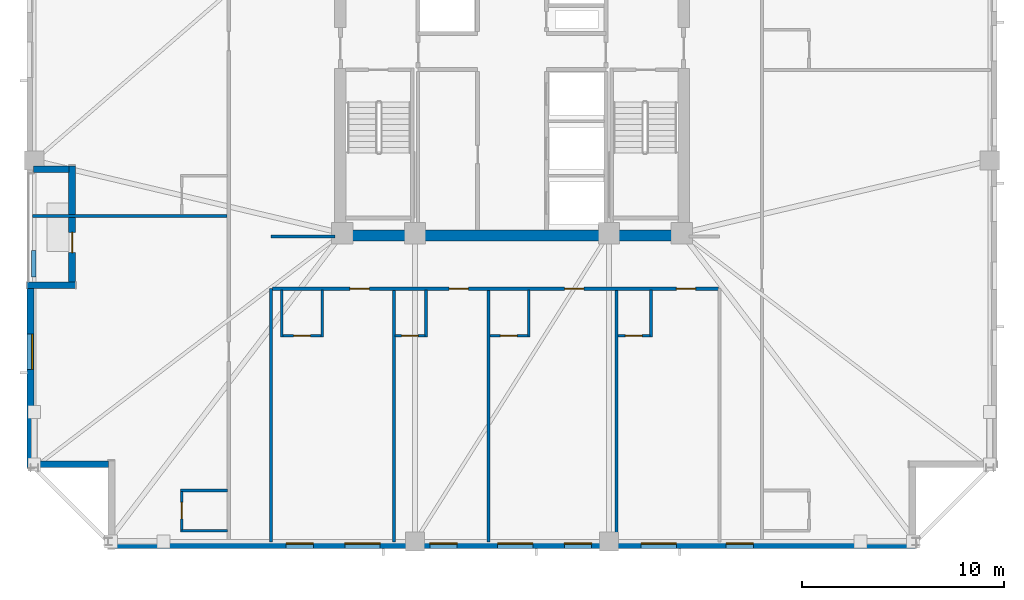
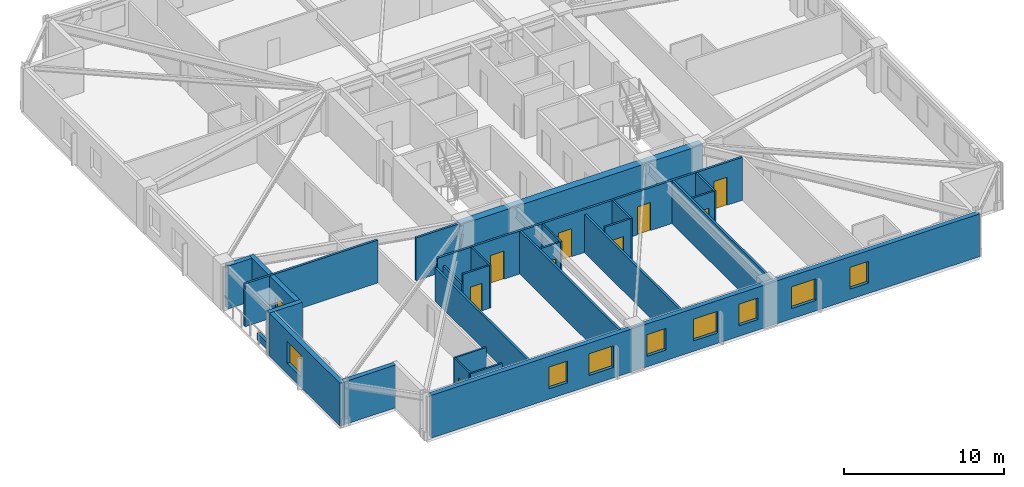
# One storey, part 2 of 10: 27 walls, 10 doors, 8 windows, 18 openings.
"""IFC4 building model written with IfcOpenShell, lengths in metres."""

from ifc_helpers import new_model, si_unit, direction, frame, frame_2d, origin, place, context, subcontext, project, spatial, rectangle, extrude, material, layer, layer_set, type_object, element, fill, save


model = new_model("IFC4")

# Units and contexts
model_context = context("Model", 3, precision=1e-05, world=origin(), true_north=direction((0.0, 1.0)))
body_context = subcontext(model_context, "Body", "Model", "MODEL_VIEW")
ifc_project = project(units=[si_unit("LENGTHUNIT", "METRE"), si_unit("AREAUNIT", "SQUARE_METRE"), si_unit("VOLUMEUNIT", "CUBIC_METRE"), si_unit("PLANEANGLEUNIT", "RADIAN"), si_unit("MASSUNIT", "GRAM", prefix="KILO")], contexts=[model_context])

# Site, building, storey
site_placement = place(None, origin())
site = spatial("IfcSite", under=ifc_project, at=site_placement, CompositionType="ELEMENT")
building_placement = place(site_placement, origin())
building = spatial("IfcBuilding", under=site, at=building_placement, Name="Cairnveth Concourse Tower", CompositionType="ELEMENT")
storey_placement = place(building_placement, frame((0.0, 0.0, 137.5)))
storey = spatial("IfcBuildingStorey", under=building, at=storey_placement, Name="L37", CompositionType="ELEMENT", Elevation=137.5)

# Walls
ifc_material_1 = material(Name="Gypsum Plasterboard Partition", Category="gypsum")
ifc_layer_1 = layer(ifc_material_1, 0.159912109375)
ifc_layer_set_1 = layer_set([ifc_layer_1], Name="Gypsum Plasterboard Partition")
wall_type_1 = type_object("IfcWallType", Name="ACOUSTIC PARTY WALL 180", PredefinedType="PARTITIONING", material=ifc_layer_set_1)
wall_1_placement = place(storey_placement, frame((40.074951171875, 15.324951171875, 0.0), z_axis=(0.0, 0.0, 1.0), x_axis=(0.0, 1.0, 0.0)))
element("IfcWall", 1, at=wall_1_placement, inside=storey, type_object=wall_type_1, Name="Interior Wall IW-L37-037", PredefinedType="PARTITIONING", context=body_context, shape_type="SweptSolid", body=[
    extrude(rectangle(XDim=12.53515625, YDim=0.159912109375, at=frame_2d((6.267578125, 0.0))), origin(), (0.0, 0.0, 1.0), 2.554931640625),
])
wall_2_placement = place(storey_placement, frame((40.074951171875, 30.449951171875, 0.0), z_axis=(0.0, 0.0, 1.0), x_axis=(1.0, 0.0, 0.0)))
element("IfcWall", 2, at=wall_2_placement, inside=storey, type_object=wall_type_1, Name="Interior Wall IW-L37-039", PredefinedType="PARTITIONING", context=body_context, shape_type="SweptSolid", body=[
    extrude(rectangle(XDim=3.16015625, YDim=0.159912109375, at=frame_2d((1.580078125, 0.0))), origin(), (0.0, 0.0, 1.0), 3.280029296875),
])

# Wall, openings, doors
wall_3_placement = place(storey_placement, frame((40.139892578125, 27.860107421875, 0.0), z_axis=(0.0, 0.0, 1.0), x_axis=(1.0, 0.0, 0.0)))
wall_3 = element("IfcWall", 3, at=wall_3_placement, inside=storey, type_object=wall_type_1, Name="Interior Wall IW-L37-046", PredefinedType="PARTITIONING", context=body_context, shape_type="SweptSolid", body=[
    extrude(rectangle(XDim=22.070068359375, YDim=0.159912109375, at=frame_2d((11.03515625, 0.0))), origin(), (0.0, 0.0, 1.0), 3.280029296875),
])
opening_1_placement = place(wall_3_placement, frame((3.833740234375, 0.0, 0.0)))
opening_1 = element("IfcOpeningElement", 4, at=opening_1_placement, cuts=wall_3, Name="Opening ID09", PredefinedType="OPENING", context=body_context, shape_type="SweptSolid", body=[
    extrude(rectangle(XDim=0.9599609375, YDim=2.14990234375, at=frame_2d((0.47998046875, 1.074951171875))), frame((0.0, 0.08984375, 0.0), z_axis=(0.0, -1.0, 0.0), x_axis=(1.0, 0.0, 0.0)), (0.0, 0.0, 1.0), 0.179931640625),
])
opening_2_placement = place(wall_3_placement, frame((8.746337890625, 0.0, 0.0)))
opening_2 = element("IfcOpeningElement", 5, at=opening_2_placement, cuts=wall_3, Name="Opening ID09", PredefinedType="OPENING", context=body_context, shape_type="SweptSolid", body=[
    extrude(rectangle(XDim=0.9599609375, YDim=2.14990234375, at=frame_2d((0.47998046875, 1.074951171875))), frame((0.0, 0.08984375, 0.0), z_axis=(0.0, -1.0, 0.0), x_axis=(1.0, 0.0, 0.0)), (0.0, 0.0, 1.0), 0.179931640625),
])
opening_3_placement = place(wall_3_placement, frame((14.4599609375, 0.0, 0.0)))
opening_3 = element("IfcOpeningElement", 6, at=opening_3_placement, cuts=wall_3, Name="Opening ID09", PredefinedType="OPENING", context=body_context, shape_type="SweptSolid", body=[
    extrude(rectangle(XDim=0.9599609375, YDim=2.14990234375, at=frame_2d((0.47998046875, 1.074951171875))), frame((0.0, 0.08984375, 0.0), z_axis=(0.0, -1.0, 0.0), x_axis=(1.0, 0.0, 0.0)), (0.0, 0.0, 1.0), 0.179931640625),
])
opening_4_placement = place(wall_3_placement, frame((19.99267578125, 0.0, 0.0)))
opening_4 = element("IfcOpeningElement", 7, at=opening_4_placement, cuts=wall_3, Name="Opening ID09", PredefinedType="OPENING", context=body_context, shape_type="SweptSolid", body=[
    extrude(rectangle(XDim=0.9599609375, YDim=2.14990234375, at=frame_2d((0.47998046875, 1.074951171875))), frame((0.0, 0.08984375, 0.0), z_axis=(0.0, -1.0, 0.0), x_axis=(1.0, 0.0, 0.0)), (0.0, 0.0, 1.0), 0.179931640625),
])
ifc_material_2 = material(Name="Solid Core Hardwood Timber Leaf", Category="wood")
door_type_1 = type_object("IfcDoorType", Name="HOTEL ENTRANCE DOOR 960X2150", OperationType="NOTDEFINED", PredefinedType="DOOR", material=ifc_material_2)
door_1_placement = place(opening_1_placement, origin())
door_1 = element("IfcDoor", 8, at=door_1_placement, inside=storey, type_object=door_type_1, Name="Hotel Room Door L37-S1", OperationType="SINGLE_SWING_LEFT", OverallHeight=2.14990234375, OverallWidth=0.9599609375, PredefinedType="DOOR", context=body_context, shape_type="SweptSolid", body=[
    extrude(rectangle(XDim=0.9599609375, YDim=2.14990234375, at=frame_2d((0.47998046875, 1.074951171875))), frame((0.0, 0.02490234375, 0.0), z_axis=(0.0, -1.0, 0.0), x_axis=(1.0, 0.0, 0.0)), (0.0, 0.0, 1.0), 0.050048828125),
])
fill(opening_1, door_1)
door_2_placement = place(opening_2_placement, origin())
door_2 = element("IfcDoor", 9, at=door_2_placement, inside=storey, type_object=door_type_1, Name="Hotel Room Door L37-S2", OperationType="SINGLE_SWING_LEFT", OverallHeight=2.14990234375, OverallWidth=0.9599609375, PredefinedType="DOOR", context=body_context, shape_type="SweptSolid", body=[
    extrude(rectangle(XDim=0.9599609375, YDim=2.14990234375, at=frame_2d((0.47998046875, 1.074951171875))), frame((0.0, 0.02490234375, 0.0), z_axis=(0.0, -1.0, 0.0), x_axis=(1.0, 0.0, 0.0)), (0.0, 0.0, 1.0), 0.050048828125),
])
fill(opening_2, door_2)
door_3_placement = place(opening_3_placement, origin())
door_3 = element("IfcDoor", 10, at=door_3_placement, inside=storey, type_object=door_type_1, Name="Hotel Room Door L37-S3", OperationType="SINGLE_SWING_LEFT", OverallHeight=2.14990234375, OverallWidth=0.9599609375, PredefinedType="DOOR", context=body_context, shape_type="SweptSolid", body=[
    extrude(rectangle(XDim=0.9599609375, YDim=2.14990234375, at=frame_2d((0.47998046875, 1.074951171875))), frame((0.0, 0.02490234375, 0.0), z_axis=(0.0, -1.0, 0.0), x_axis=(1.0, 0.0, 0.0)), (0.0, 0.0, 1.0), 0.050048828125),
])
fill(opening_3, door_3)
door_4_placement = place(opening_4_placement, origin())
door_4 = element("IfcDoor", 11, at=door_4_placement, inside=storey, type_object=door_type_1, Name="Hotel Room Door L37-S4", OperationType="SINGLE_SWING_LEFT", OverallHeight=2.14990234375, OverallWidth=0.9599609375, PredefinedType="DOOR", context=body_context, shape_type="SweptSolid", body=[
    extrude(rectangle(XDim=0.9599609375, YDim=2.14990234375, at=frame_2d((0.47998046875, 1.074951171875))), frame((0.0, 0.02490234375, 0.0), z_axis=(0.0, -1.0, 0.0), x_axis=(1.0, 0.0, 0.0)), (0.0, 0.0, 1.0), 0.050048828125),
])
fill(opening_4, door_4)

# Walls
wall_4_placement = place(storey_placement, frame((46.152587890625, 15.324951171875, 0.0), z_axis=(0.0, 0.0, 1.0), x_axis=(0.0, 1.0, 0.0)))
element("IfcWall", 12, at=wall_4_placement, inside=storey, type_object=wall_type_1, Name="Interior Wall IW-L37-052", PredefinedType="PARTITIONING", context=body_context, shape_type="SweptSolid", body=[
    extrude(rectangle(XDim=12.455078125, YDim=0.159912109375, at=frame_2d((6.2275390625, 0.0))), origin(), (0.0, 0.0, 1.0), 3.280029296875),
])
wall_5_placement = place(storey_placement, frame((50.83740234375, 15.324951171875, 0.0), z_axis=(0.0, 0.0, 1.0), x_axis=(0.0, 1.0, 0.0)))
element("IfcWall", 13, at=wall_5_placement, inside=storey, type_object=wall_type_1, Name="Interior Wall IW-L37-055", PredefinedType="PARTITIONING", context=body_context, shape_type="SweptSolid", body=[
    extrude(rectangle(XDim=12.455078125, YDim=0.159912109375, at=frame_2d((6.2275390625, 0.0))), origin(), (0.0, 0.0, 1.0), 2.89599609375),
])
wall_6_placement = place(storey_placement, frame((57.172607421875, 15.324951171875, 0.0), z_axis=(0.0, 0.0, 1.0), x_axis=(0.0, 1.0, 0.0)))
element("IfcWall", 14, at=wall_6_placement, inside=storey, type_object=wall_type_1, Name="Interior Wall IW-L37-058", PredefinedType="PARTITIONING", context=body_context, shape_type="SweptSolid", body=[
    extrude(rectangle(XDim=12.455078125, YDim=0.159912109375, at=frame_2d((6.2275390625, 0.0))), origin(), (0.0, 0.0, 1.0), 3.280029296875),
])
wall_7_placement = place(storey_placement, frame((28.27001953125, 31.456787109375, 0.0), z_axis=(0.0, 0.0, 1.0), x_axis=(1.0, 0.0, 0.0)))
element("IfcWall", 15, at=wall_7_placement, inside=storey, type_object=wall_type_1, Name="Interior Wall IW-L37-064", PredefinedType="PARTITIONING", context=body_context, shape_type="SweptSolid", body=[
    extrude(rectangle(XDim=9.625, YDim=0.159912109375, at=frame_2d((4.8125, 0.0))), origin(), (0.0, 0.0, 1.0), 3.280029296875),
])
ifc_material_3 = material(Name="Concrete N80 (80 MPa)", Category="concrete")
ifc_layer_2 = layer(ifc_material_3, 0.550048828125)
ifc_layer_set_2 = layer_set([ifc_layer_2], Name="Concrete N80 (80 MPa)")
wall_type_2 = type_object("IfcWallType", Name="CORE SHEAR WALL 550", PredefinedType="SHEAR", material=ifc_layer_set_2)
wall_8_placement = place(storey_placement, frame((43.22509765625, 30.5, 0.0), z_axis=(0.0, 0.0, 1.0), x_axis=(1.0, 0.0, 0.0)))
element("IfcWall", 16, at=wall_8_placement, inside=storey, type_object=wall_type_2, Name="Core South Shear Wall L37", PredefinedType="SHEAR", context=body_context, shape_type="SweptSolid", body=[
    extrude(rectangle(XDim=17.5498046875, YDim=0.550048828125, at=frame_2d((8.77490234375, 0.0))), origin(), (0.0, 0.0, 1.0), 3.280029296875),
])
ifc_material_4 = material(Name="Dressed Melbourne Bluestone Cladding", Category="masonry")
ifc_layer_3 = layer(ifc_material_4, 0.219970703125)
ifc_layer_set_3 = layer_set([ifc_layer_3], Name="Dressed Melbourne Bluestone Cladding")
wall_type_3 = type_object("IfcWallType", Name="TERRACE PLANTER CURB WALL 220", PredefinedType="PARAPET", material=ifc_layer_set_3)
wall_9_placement = place(storey_placement, frame((28.320068359375, 28.449951171875, 0.0), z_axis=(0.0, 0.0, 1.0), x_axis=(0.0, 1.0, 0.0)))
element("IfcWall", 17, at=wall_9_placement, inside=storey, type_object=wall_type_3, Name="Exterior Wall PLNT-L37-TERR", PredefinedType="PARAPET", context=body_context, shape_type="SweptSolid", body=[
    extrude(rectangle(XDim=1.300048828125, YDim=0.219970703125, at=frame_2d((0.64990234375, 0.0))), origin(), (0.0, 0.0, 1.0), 0.550048828125),
])
ifc_layer_4 = layer(ifc_material_1, 0.1298828125)
ifc_layer_set_4 = layer_set([ifc_layer_4], Name="Gypsum Plasterboard Partition")
wall_type_4 = type_object("IfcWallType", Name="WET AREA PARTITION 140", PredefinedType="PLUMBINGWALL", material=ifc_layer_set_4)
wall_10_placement = place(storey_placement, frame((40.60498046875, 25.47998046875, 0.0), z_axis=(0.0, 0.0, 1.0), x_axis=(0.0, 1.0, 0.0)))
element("IfcWall", 18, at=wall_10_placement, inside=storey, type_object=wall_type_4, Name="Interior Wall IW-L37-049", PredefinedType="PLUMBINGWALL", context=body_context, shape_type="SweptSolid", body=[
    extrude(rectangle(XDim=2.31494140625, YDim=0.1298828125, at=frame_2d((1.157470703125, 0.0))), origin(), (0.0, 0.0, 1.0), 2.554931640625),
])
wall_11_placement = place(storey_placement, frame((42.60498046875, 25.47998046875, 0.0), z_axis=(0.0, 0.0, 1.0), x_axis=(0.0, 1.0, 0.0)))
element("IfcWall", 19, at=wall_11_placement, inside=storey, type_object=wall_type_4, Name="Interior Wall IW-L37-050", PredefinedType="PLUMBINGWALL", context=body_context, shape_type="SweptSolid", body=[
    extrude(rectangle(XDim=2.31494140625, YDim=0.1298828125, at=frame_2d((1.157470703125, 0.0))), origin(), (0.0, 0.0, 1.0), 3.280029296875),
])

# Wall, opening, door
wall_12_placement = place(storey_placement, frame((40.655029296875, 25.530029296875, 0.0), z_axis=(0.0, 0.0, 1.0), x_axis=(1.0, 0.0, 0.0)))
wall_12 = element("IfcWall", 20, at=wall_12_placement, inside=storey, type_object=wall_type_4, Name="Interior Wall IW-L37-051", PredefinedType="PLUMBINGWALL", context=body_context, shape_type="SweptSolid", body=[
    extrude(rectangle(XDim=1.89990234375, YDim=0.1298828125, at=frame_2d((0.949951171875, 0.0))), origin(), (0.0, 0.0, 1.0), 3.280029296875),
])
opening_5_placement = place(wall_12_placement, frame((0.5400390625, 0.0, 0.0)))
opening_5 = element("IfcOpeningElement", 21, at=opening_5_placement, cuts=wall_12, Name="Opening ID22", PredefinedType="OPENING", context=body_context, shape_type="SweptSolid", body=[
    extrude(rectangle(XDim=0.820068359375, YDim=2.10009765625, at=frame_2d((0.41015625, 1.050048828125))), frame((0.0, 0.074951171875, 0.0), z_axis=(0.0, -1.0, 0.0), x_axis=(1.0, 0.0, 0.0)), (0.0, 0.0, 1.0), 0.14990234375),
])
door_type_2 = type_object("IfcDoorType", Name="INTERIOR WC DOOR 820X2100", OperationType="NOTDEFINED", PredefinedType="DOOR", material=ifc_material_2)
door_5_placement = place(opening_5_placement, origin())
door_5 = element("IfcDoor", 22, at=door_5_placement, inside=storey, type_object=door_type_2, Name="En-Suite Door L37-S1", OperationType="SINGLE_SWING_RIGHT", OverallHeight=2.10009765625, OverallWidth=0.820068359375, PredefinedType="DOOR", context=body_context, shape_type="SweptSolid", body=[
    extrude(rectangle(XDim=0.820068359375, YDim=2.10009765625, at=frame_2d((0.41015625, 1.050048828125))), frame((0.0, 0.02490234375, 0.0), z_axis=(0.0, -1.0, 0.0), x_axis=(1.0, 0.0, 0.0)), (0.0, 0.0, 1.0), 0.050048828125),
])
fill(opening_5, door_5)

# Wall
wall_13_placement = place(storey_placement, frame((47.745361328125, 25.47998046875, 0.0), z_axis=(0.0, 0.0, 1.0), x_axis=(0.0, 1.0, 0.0)))
element("IfcWall", 23, at=wall_13_placement, inside=storey, type_object=wall_type_4, Name="Interior Wall IW-L37-053", PredefinedType="PLUMBINGWALL", context=body_context, shape_type="SweptSolid", body=[
    extrude(rectangle(XDim=2.31494140625, YDim=0.1298828125, at=frame_2d((1.157470703125, 0.0))), origin(), (0.0, 0.0, 1.0), 3.280029296875),
])

# Wall, opening, door
wall_14_placement = place(storey_placement, frame((46.217529296875, 25.530029296875, 0.0), z_axis=(0.0, 0.0, 1.0), x_axis=(1.0, 0.0, 0.0)))
wall_14 = element("IfcWall", 24, at=wall_14_placement, inside=storey, type_object=wall_type_4, Name="Interior Wall IW-L37-054", PredefinedType="PLUMBINGWALL", context=body_context, shape_type="SweptSolid", body=[
    extrude(rectangle(XDim=1.477783203125, YDim=0.1298828125, at=frame_2d((0.73876953125, 0.0))), origin(), (0.0, 0.0, 1.0), 3.280029296875),
])
opening_6_placement = place(wall_14_placement, frame((0.3212890625, 0.0, 0.0)))
opening_6 = element("IfcOpeningElement", 25, at=opening_6_placement, cuts=wall_14, Name="Opening ID22", PredefinedType="OPENING", context=body_context, shape_type="SweptSolid", body=[
    extrude(rectangle(XDim=0.820068359375, YDim=2.10009765625, at=frame_2d((0.41015625, 1.050048828125))), frame((0.0, 0.074951171875, 0.0), z_axis=(0.0, -1.0, 0.0), x_axis=(1.0, 0.0, 0.0)), (0.0, 0.0, 1.0), 0.14990234375),
])
door_6_placement = place(opening_6_placement, origin())
door_6 = element("IfcDoor", 26, at=door_6_placement, inside=storey, type_object=door_type_2, Name="En-Suite Door L37-S2", OperationType="SINGLE_SWING_RIGHT", OverallHeight=2.10009765625, OverallWidth=0.820068359375, PredefinedType="DOOR", context=body_context, shape_type="SweptSolid", body=[
    extrude(rectangle(XDim=0.820068359375, YDim=2.10009765625, at=frame_2d((0.41015625, 1.050048828125))), frame((0.0, 0.02490234375, 0.0), z_axis=(0.0, -1.0, 0.0), x_axis=(1.0, 0.0, 0.0)), (0.0, 0.0, 1.0), 0.050048828125),
])
fill(opening_6, door_6)

# Wall
wall_15_placement = place(storey_placement, frame((52.83740234375, 25.47998046875, 0.0), z_axis=(0.0, 0.0, 1.0), x_axis=(0.0, 1.0, 0.0)))
element("IfcWall", 27, at=wall_15_placement, inside=storey, type_object=wall_type_4, Name="Interior Wall IW-L37-056", PredefinedType="PLUMBINGWALL", context=body_context, shape_type="SweptSolid", body=[
    extrude(rectangle(XDim=2.31494140625, YDim=0.1298828125, at=frame_2d((1.157470703125, 0.0))), origin(), (0.0, 0.0, 1.0), 3.280029296875),
])

# Wall, opening, door
wall_16_placement = place(storey_placement, frame((50.902587890625, 25.530029296875, 0.0), z_axis=(0.0, 0.0, 1.0), x_axis=(1.0, 0.0, 0.0)))
wall_16 = element("IfcWall", 28, at=wall_16_placement, inside=storey, type_object=wall_type_4, Name="Interior Wall IW-L37-057", PredefinedType="PLUMBINGWALL", context=body_context, shape_type="SweptSolid", body=[
    extrude(rectangle(XDim=1.885009765625, YDim=0.1298828125, at=frame_2d((0.9423828125, 0.0))), origin(), (0.0, 0.0, 1.0), 3.280029296875),
])
opening_7_placement = place(wall_16_placement, frame((0.52490234375, 0.0, 0.0)))
opening_7 = element("IfcOpeningElement", 29, at=opening_7_placement, cuts=wall_16, Name="Opening ID22", PredefinedType="OPENING", context=body_context, shape_type="SweptSolid", body=[
    extrude(rectangle(XDim=0.820068359375, YDim=2.10009765625, at=frame_2d((0.41015625, 1.050048828125))), frame((0.0, 0.074951171875, 0.0), z_axis=(0.0, -1.0, 0.0), x_axis=(1.0, 0.0, 0.0)), (0.0, 0.0, 1.0), 0.14990234375),
])
door_7_placement = place(opening_7_placement, origin())
door_7 = element("IfcDoor", 30, at=door_7_placement, inside=storey, type_object=door_type_2, Name="En-Suite Door L37-S3", OperationType="SINGLE_SWING_RIGHT", OverallHeight=2.10009765625, OverallWidth=0.820068359375, PredefinedType="DOOR", context=body_context, shape_type="SweptSolid", body=[
    extrude(rectangle(XDim=0.820068359375, YDim=2.10009765625, at=frame_2d((0.41015625, 1.050048828125))), frame((0.0, 0.02490234375, 0.0), z_axis=(0.0, -1.0, 0.0), x_axis=(1.0, 0.0, 0.0)), (0.0, 0.0, 1.0), 0.050048828125),
])
fill(opening_7, door_7)

# Wall
wall_17_placement = place(storey_placement, frame((58.880126953125, 25.47998046875, 0.0), z_axis=(0.0, 0.0, 1.0), x_axis=(0.0, 1.0, 0.0)))
element("IfcWall", 31, at=wall_17_placement, inside=storey, type_object=wall_type_4, Name="Interior Wall IW-L37-059", PredefinedType="PLUMBINGWALL", context=body_context, shape_type="SweptSolid", body=[
    extrude(rectangle(XDim=2.31494140625, YDim=0.1298828125, at=frame_2d((1.157470703125, 0.0))), origin(), (0.0, 0.0, 1.0), 3.280029296875),
])

# Wall, opening, door
wall_18_placement = place(storey_placement, frame((57.237548828125, 25.530029296875, 0.0), z_axis=(0.0, 0.0, 1.0), x_axis=(1.0, 0.0, 0.0)))
wall_18 = element("IfcWall", 32, at=wall_18_placement, inside=storey, type_object=wall_type_4, Name="Interior Wall IW-L37-060", PredefinedType="PLUMBINGWALL", context=body_context, shape_type="SweptSolid", body=[
    extrude(rectangle(XDim=1.592529296875, YDim=0.1298828125, at=frame_2d((0.79638671875, 0.0))), origin(), (0.0, 0.0, 1.0), 3.280029296875),
])
opening_8_placement = place(wall_18_placement, frame((0.37890625, 0.0, 0.0)))
opening_8 = element("IfcOpeningElement", 33, at=opening_8_placement, cuts=wall_18, Name="Opening ID22", PredefinedType="OPENING", context=body_context, shape_type="SweptSolid", body=[
    extrude(rectangle(XDim=0.820068359375, YDim=2.10009765625, at=frame_2d((0.41015625, 1.050048828125))), frame((0.0, 0.074951171875, 0.0), z_axis=(0.0, -1.0, 0.0), x_axis=(1.0, 0.0, 0.0)), (0.0, 0.0, 1.0), 0.14990234375),
])
door_8_placement = place(opening_8_placement, origin())
door_8 = element("IfcDoor", 34, at=door_8_placement, inside=storey, type_object=door_type_2, Name="En-Suite Door L37-S4", OperationType="SINGLE_SWING_RIGHT", OverallHeight=2.10009765625, OverallWidth=0.820068359375, PredefinedType="DOOR", context=body_context, shape_type="SweptSolid", body=[
    extrude(rectangle(XDim=0.820068359375, YDim=2.10009765625, at=frame_2d((0.41015625, 1.050048828125))), frame((0.0, 0.02490234375, 0.0), z_axis=(0.0, -1.0, 0.0), x_axis=(1.0, 0.0, 0.0)), (0.0, 0.0, 1.0), 0.050048828125),
])
fill(opening_8, door_8)

# Walls
for number, where, z_axis, x_axis, name in (
    (35, (35.594970703125, 15.8701171875, 0.0), (0.0, 0.0, 1.0), (1.0, 0.0, 0.0), "Interior Wall IW-L37-061"),
    (36, (35.594970703125, 17.8701171875, 0.0), (0.0, 0.0, 1.0), (1.0, 0.0, 0.0), "Interior Wall IW-L37-062"),
):
    element("IfcWall", number, at=place(storey_placement, frame(where, z_axis=z_axis, x_axis=x_axis)), inside=storey, type_object=wall_type_4, Name=name, PredefinedType="PLUMBINGWALL", context=body_context, shape_type="SweptSolid", body=[
        extrude(rectangle(XDim=2.31494140625, YDim=0.1298828125, at=frame_2d((1.157470703125, 0.0))), origin(), (0.0, 0.0, 1.0), 3.280029296875),
    ])

# Wall, opening, door
wall_19_placement = place(storey_placement, frame((35.64501953125, 15.919921875, 0.0), z_axis=(0.0, 0.0, 1.0), x_axis=(0.0, 1.0, 0.0)))
wall_19 = element("IfcWall", 37, at=wall_19_placement, inside=storey, type_object=wall_type_4, Name="Interior Wall IW-L37-063", PredefinedType="PLUMBINGWALL", context=body_context, shape_type="SweptSolid", body=[
    extrude(rectangle(XDim=1.900146484375, YDim=0.1298828125, at=frame_2d((0.9501953125, 0.0))), origin(), (0.0, 0.0, 1.0), 3.280029296875),
])
opening_9_placement = place(wall_19_placement, frame((0.5400390625, 0.0, 0.0)))
opening_9 = element("IfcOpeningElement", 38, at=opening_9_placement, cuts=wall_19, Name="Opening ID22", PredefinedType="OPENING", context=body_context, shape_type="SweptSolid", body=[
    extrude(rectangle(XDim=0.820068359375, YDim=2.10009765625, at=frame_2d((0.41015625, 1.050048828125))), frame((0.0, 0.074951171875, 0.0), z_axis=(0.0, -1.0, 0.0), x_axis=(1.0, 0.0, 0.0)), (0.0, 0.0, 1.0), 0.14990234375),
])
door_9_placement = place(opening_9_placement, origin())
door_9 = element("IfcDoor", 39, at=door_9_placement, inside=storey, type_object=door_type_2, Name="En-Suite Door L37-W1", OperationType="SINGLE_SWING_RIGHT", OverallHeight=2.10009765625, OverallWidth=0.820068359375, PredefinedType="DOOR", context=body_context, shape_type="SweptSolid", body=[
    extrude(rectangle(XDim=0.820068359375, YDim=2.10009765625, at=frame_2d((0.41015625, 1.050048828125))), frame((0.0, 0.02490234375, 0.0), z_axis=(0.0, -1.0, 0.0), x_axis=(1.0, 0.0, 0.0)), (0.0, 0.0, 1.0), 0.050048828125),
])
fill(opening_9, door_9)

# Wall, openings, windows
ifc_material_5 = material(Name="Hawthorn Red-Ochre Fired Clay Brick Masonry", Category="masonry")
ifc_layer_5 = layer(ifc_material_5, 0.340087890625)
ifc_layer_set_5 = layer_set([ifc_layer_5], Name="Hawthorn Red-Ochre Fired Clay Brick Masonry")
wall_type_5 = type_object("IfcWallType", Name="ZONE 2 BRICK PIER SPANDREL WALL 340", PredefinedType="SOLIDWALL", material=ifc_layer_set_5)
wall_20_placement = place(storey_placement, frame((72.0, 15.169921875, 0.0), z_axis=(0.0, 0.0, 1.0), x_axis=(-1.0, 0.0, 0.0)))
wall_20 = element("IfcWall", 40, at=wall_20_placement, inside=storey, type_object=wall_type_5, Name="Exterior Wall EW-L37-S09", PredefinedType="SOLIDWALL", context=body_context, shape_type="SweptSolid", body=[
    extrude(rectangle(XDim=39.681884765625, YDim=0.340087890625, at=frame_2d((19.8408203125, 0.0))), origin(), (0.0, 0.0, 1.0), 3.280029296875),
])
opening_10_placement = place(wall_20_placement, frame((8.055419921875, 0.0, 0.800048828125)))
opening_10 = element("IfcOpeningElement", 41, at=opening_10_placement, cuts=wall_20, Name="Opening W02", PredefinedType="OPENING", context=body_context, shape_type="SweptSolid", body=[
    extrude(rectangle(XDim=1.35009765625, YDim=1.659912109375, at=frame_2d((0.675048828125, 0.830078125))), frame((0.0, 0.179931640625, 0.0), z_axis=(0.0, -1.0, 0.0), x_axis=(1.0, 0.0, 0.0)), (0.0, 0.0, 1.0), 0.360107421875),
])
opening_11_placement = place(wall_20_placement, frame((11.85888671875, 0.0, 0.800048828125)))
opening_11 = element("IfcOpeningElement", 42, at=opening_11_placement, cuts=wall_20, Name="Opening W06", PredefinedType="OPENING", context=body_context, shape_type="SweptSolid", body=[
    extrude(rectangle(XDim=1.75, YDim=1.659912109375, at=frame_2d((0.875, 0.830078125))), frame((0.0, 0.179931640625, 0.0), z_axis=(0.0, -1.0, 0.0), x_axis=(1.0, 0.0, 0.0)), (0.0, 0.0, 1.0), 0.360107421875),
])
opening_12_placement = place(wall_20_placement, frame((16.0625, 0.0, 0.800048828125)))
opening_12 = element("IfcOpeningElement", 43, at=opening_12_placement, cuts=wall_20, Name="Opening W02", PredefinedType="OPENING", context=body_context, shape_type="SweptSolid", body=[
    extrude(rectangle(XDim=1.35009765625, YDim=1.659912109375, at=frame_2d((0.675048828125, 0.830078125))), frame((0.0, 0.179931640625, 0.0), z_axis=(0.0, -1.0, 0.0), x_axis=(1.0, 0.0, 0.0)), (0.0, 0.0, 1.0), 0.360107421875),
])
opening_13_placement = place(wall_20_placement, frame((18.966064453125, 0.0, 0.800048828125)))
opening_13 = element("IfcOpeningElement", 44, at=opening_13_placement, cuts=wall_20, Name="Opening W06", PredefinedType="OPENING", context=body_context, shape_type="SweptSolid", body=[
    extrude(rectangle(XDim=1.75, YDim=1.659912109375, at=frame_2d((0.875, 0.830078125))), frame((0.0, 0.179931640625, 0.0), z_axis=(0.0, -1.0, 0.0), x_axis=(1.0, 0.0, 0.0)), (0.0, 0.0, 1.0), 0.360107421875),
])
opening_14_placement = place(wall_20_placement, frame((22.719482421875, 0.0, 0.800048828125)))
opening_14 = element("IfcOpeningElement", 45, at=opening_14_placement, cuts=wall_20, Name="Opening W02", PredefinedType="OPENING", context=body_context, shape_type="SweptSolid", body=[
    extrude(rectangle(XDim=1.35009765625, YDim=1.659912109375, at=frame_2d((0.675048828125, 0.830078125))), frame((0.0, 0.179931640625, 0.0), z_axis=(0.0, -1.0, 0.0), x_axis=(1.0, 0.0, 0.0)), (0.0, 0.0, 1.0), 0.360107421875),
])
opening_15_placement = place(wall_20_placement, frame((26.523193359375, 0.0, 0.800048828125)))
opening_15 = element("IfcOpeningElement", 46, at=opening_15_placement, cuts=wall_20, Name="Opening W06", PredefinedType="OPENING", context=body_context, shape_type="SweptSolid", body=[
    extrude(rectangle(XDim=1.75, YDim=1.659912109375, at=frame_2d((0.875, 0.830078125))), frame((0.0, 0.179931640625, 0.0), z_axis=(0.0, -1.0, 0.0), x_axis=(1.0, 0.0, 0.0)), (0.0, 0.0, 1.0), 0.360107421875),
])
opening_16_placement = place(wall_20_placement, frame((29.82666015625, 0.0, 0.800048828125)))
opening_16 = element("IfcOpeningElement", 47, at=opening_16_placement, cuts=wall_20, Name="Opening W02", PredefinedType="OPENING", context=body_context, shape_type="SweptSolid", body=[
    extrude(rectangle(XDim=1.35009765625, YDim=1.659912109375, at=frame_2d((0.675048828125, 0.830078125))), frame((0.0, 0.179931640625, 0.0), z_axis=(0.0, -1.0, 0.0), x_axis=(1.0, 0.0, 0.0)), (0.0, 0.0, 1.0), 0.360107421875),
])
ifc_material_6 = material(Name="Double Glazed Low-E Clear Glass", Category="glass")
window_type_1 = type_object("IfcWindowType", Name="DEEP-SET GOTHIC LANCET WINDOW 1350X1800", PartitioningType="DOUBLE_PANEL_VERTICAL", PredefinedType="WINDOW", material=ifc_material_6)
window_1_placement = place(opening_10_placement, origin())
window_1 = element("IfcWindow", 48, at=window_1_placement, inside=storey, type_object=window_type_1, Name="Gothic Lancet Window L37-9-2", OverallHeight=1.659912109375, OverallWidth=1.35009765625, PartitioningType="SINGLE_PANEL", PredefinedType="WINDOW", context=body_context, shape_type="SweptSolid", body=[
    extrude(rectangle(XDim=1.35009765625, YDim=1.659912109375, at=frame_2d((0.675048828125, 0.830078125))), frame((0.0, -0.050048828125, 0.0), z_axis=(0.0, -1.0, 0.0), x_axis=(1.0, 0.0, 0.0)), (0.0, 0.0, 1.0), 0.06005859375),
])
fill(opening_10, window_1)
window_2_placement = place(opening_12_placement, origin())
window_2 = element("IfcWindow", 49, at=window_2_placement, inside=storey, type_object=window_type_1, Name="Gothic Lancet Window L37-9-4", OverallHeight=1.659912109375, OverallWidth=1.35009765625, PartitioningType="SINGLE_PANEL", PredefinedType="WINDOW", context=body_context, shape_type="SweptSolid", body=[
    extrude(rectangle(XDim=1.35009765625, YDim=1.659912109375, at=frame_2d((0.675048828125, 0.830078125))), frame((0.0, -0.050048828125, 0.0), z_axis=(0.0, -1.0, 0.0), x_axis=(1.0, 0.0, 0.0)), (0.0, 0.0, 1.0), 0.06005859375),
])
fill(opening_12, window_2)
window_3_placement = place(opening_14_placement, origin())
window_3 = element("IfcWindow", 50, at=window_3_placement, inside=storey, type_object=window_type_1, Name="Gothic Lancet Window L37-9-6", OverallHeight=1.659912109375, OverallWidth=1.35009765625, PartitioningType="SINGLE_PANEL", PredefinedType="WINDOW", context=body_context, shape_type="SweptSolid", body=[
    extrude(rectangle(XDim=1.35009765625, YDim=1.659912109375, at=frame_2d((0.675048828125, 0.830078125))), frame((0.0, -0.050048828125, 0.0), z_axis=(0.0, -1.0, 0.0), x_axis=(1.0, 0.0, 0.0)), (0.0, 0.0, 1.0), 0.06005859375),
])
fill(opening_14, window_3)
window_4_placement = place(opening_16_placement, origin())
window_4 = element("IfcWindow", 51, at=window_4_placement, inside=storey, type_object=window_type_1, Name="Gothic Lancet Window L37-9-8", OverallHeight=1.659912109375, OverallWidth=1.35009765625, PartitioningType="SINGLE_PANEL", PredefinedType="WINDOW", context=body_context, shape_type="SweptSolid", body=[
    extrude(rectangle(XDim=1.35009765625, YDim=1.659912109375, at=frame_2d((0.675048828125, 0.830078125))), frame((0.0, -0.050048828125, 0.0), z_axis=(0.0, -1.0, 0.0), x_axis=(1.0, 0.0, 0.0)), (0.0, 0.0, 1.0), 0.06005859375),
])
fill(opening_16, window_4)
window_type_2 = type_object("IfcWindowType", Name="DEEP-SET HOTEL SUITE WINDOW 1750X1800", PartitioningType="DOUBLE_PANEL_VERTICAL", PredefinedType="WINDOW", material=ifc_material_6)
window_5_placement = place(opening_11_placement, origin())
window_5 = element("IfcWindow", 52, at=window_5_placement, inside=storey, type_object=window_type_2, Name="Gothic Lancet Window L37-9-3", OverallHeight=1.659912109375, OverallWidth=1.75, PartitioningType="SINGLE_PANEL", PredefinedType="WINDOW", context=body_context, shape_type="SweptSolid", body=[
    extrude(rectangle(XDim=1.75, YDim=1.659912109375, at=frame_2d((0.875, 0.830078125))), frame((0.0, -0.050048828125, 0.0), z_axis=(0.0, -1.0, 0.0), x_axis=(1.0, 0.0, 0.0)), (0.0, 0.0, 1.0), 0.06005859375),
])
fill(opening_11, window_5)
window_6_placement = place(opening_13_placement, origin())
window_6 = element("IfcWindow", 53, at=window_6_placement, inside=storey, type_object=window_type_2, Name="Gothic Lancet Window L37-9-5", OverallHeight=1.659912109375, OverallWidth=1.75, PartitioningType="SINGLE_PANEL", PredefinedType="WINDOW", context=body_context, shape_type="SweptSolid", body=[
    extrude(rectangle(XDim=1.75, YDim=1.659912109375, at=frame_2d((0.875, 0.830078125))), frame((0.0, -0.050048828125, 0.0), z_axis=(0.0, -1.0, 0.0), x_axis=(1.0, 0.0, 0.0)), (0.0, 0.0, 1.0), 0.06005859375),
])
fill(opening_13, window_6)
window_7_placement = place(opening_15_placement, origin())
window_7 = element("IfcWindow", 54, at=window_7_placement, inside=storey, type_object=window_type_2, Name="Gothic Lancet Window L37-9-7", OverallHeight=1.659912109375, OverallWidth=1.75, PartitioningType="SINGLE_PANEL", PredefinedType="WINDOW", context=body_context, shape_type="SweptSolid", body=[
    extrude(rectangle(XDim=1.75, YDim=1.659912109375, at=frame_2d((0.875, 0.830078125))), frame((0.0, -0.050048828125, 0.0), z_axis=(0.0, -1.0, 0.0), x_axis=(1.0, 0.0, 0.0)), (0.0, 0.0, 1.0), 0.06005859375),
])
fill(opening_15, window_7)

# Wall
wall_21_placement = place(storey_placement, frame((32.02197265625, 19.169921875, 0.0), z_axis=(0.0, 0.0, 1.0), x_axis=(-1.0, 0.0, 0.0)))
element("IfcWall", 55, at=wall_21_placement, inside=storey, type_object=wall_type_5, Name="Exterior Wall EW-L37-S11", PredefinedType="SOLIDWALL", context=body_context, shape_type="SweptSolid", body=[
    extrude(rectangle(XDim=3.703857421875, YDim=0.340087890625, at=frame_2d((1.85205078125, 0.0))), origin(), (0.0, 0.0, 1.0), 3.280029296875),
])

# Wall, opening, window
wall_22_placement = place(storey_placement, frame((28.169921875, 19.0, 0.0), z_axis=(0.0, 0.0, 1.0), x_axis=(0.0, 1.0, 0.0)))
wall_22 = element("IfcWall", 56, at=wall_22_placement, inside=storey, type_object=wall_type_5, Name="Exterior Wall EW-L37-S12", PredefinedType="SOLIDWALL", context=body_context, shape_type="SweptSolid", body=[
    extrude(rectangle(XDim=8.882080078125, YDim=0.340087890625, at=frame_2d((4.44091796875, 0.0))), origin(), (0.0, 0.0, 1.0), 3.280029296875),
])
opening_17_placement = place(wall_22_placement, frame((4.865966796875, 0.0, 0.800048828125)))
opening_17 = element("IfcOpeningElement", 57, at=opening_17_placement, cuts=wall_22, Name="Opening W06", PredefinedType="OPENING", context=body_context, shape_type="SweptSolid", body=[
    extrude(rectangle(XDim=1.75, YDim=1.659912109375, at=frame_2d((0.875, 0.830078125))), frame((0.0, 0.179931640625, 0.0), z_axis=(0.0, -1.0, 0.0), x_axis=(1.0, 0.0, 0.0)), (0.0, 0.0, 1.0), 0.360107421875),
])
window_8_placement = place(opening_17_placement, origin())
window_8 = element("IfcWindow", 58, at=window_8_placement, inside=storey, type_object=window_type_2, Name="Gothic Lancet Window L37-12-1", OverallHeight=1.659912109375, OverallWidth=1.75, PartitioningType="SINGLE_PANEL", PredefinedType="WINDOW", context=body_context, shape_type="SweptSolid", body=[
    extrude(rectangle(XDim=1.75, YDim=1.659912109375, at=frame_2d((0.875, 0.830078125))), frame((0.0, -0.050048828125, 0.0), z_axis=(0.0, -1.0, 0.0), x_axis=(1.0, 0.0, 0.0)), (0.0, 0.0, 1.0), 0.06005859375),
])
fill(opening_17, window_8)

# Wall
wall_23_placement = place(storey_placement, frame((28.0, 28.030029296875, 0.0), z_axis=(0.0, 0.0, 1.0), x_axis=(1.0, 0.0, 0.0)))
element("IfcWall", 59, at=wall_23_placement, inside=storey, type_object=wall_type_5, Name="Exterior Wall EW-L37-S13", PredefinedType="SOLIDWALL", context=body_context, shape_type="SweptSolid", body=[
    extrude(rectangle(XDim=2.389892578125, YDim=0.340087890625, at=frame_2d((1.19482421875, 0.0))), origin(), (0.0, 0.0, 1.0), 3.280029296875),
])

# Wall, opening, door
wall_24_placement = place(storey_placement, frame((30.219970703125, 28.177978515625, 0.0), z_axis=(0.0, 0.0, 1.0), x_axis=(0.0, 1.0, 0.0)))
wall_24 = element("IfcWall", 60, at=wall_24_placement, inside=storey, type_object=wall_type_5, Name="Exterior Wall EW-L37-S14", PredefinedType="SOLIDWALL", context=body_context, shape_type="SweptSolid", body=[
    extrude(rectangle(XDim=5.761962890625, YDim=0.340087890625, at=frame_2d((2.880859375, 0.0))), origin(), (0.0, 0.0, 1.0), 3.280029296875),
])
opening_18_placement = place(wall_24_placement, frame((1.464599609375, 0.0, 0.0)))
opening_18 = element("IfcOpeningElement", 61, at=opening_18_placement, cuts=wall_24, Name="Opening ED4", PredefinedType="OPENING", context=body_context, shape_type="SweptSolid", body=[
    extrude(rectangle(XDim=1.0, YDim=2.14990234375, at=frame_2d((0.5, 1.074951171875))), frame((0.0, 0.179931640625, 0.0), z_axis=(0.0, -1.0, 0.0), x_axis=(1.0, 0.0, 0.0)), (0.0, 0.0, 1.0), 0.360107421875),
])
ifc_material_7 = material(Name="Architectural Bronze Anodised Aluminium 6063-T6", Category="aluminium")
door_type_3 = type_object("IfcDoorType", Name="TERRACE GLAZED DOOR 1000X2150", OperationType="NOTDEFINED", PredefinedType="DOOR", material=ifc_material_7)
door_10_placement = place(opening_18_placement, origin())
door_10 = element("IfcDoor", 62, at=door_10_placement, inside=storey, type_object=door_type_3, Name="Spiral Terrace Door L37", OperationType="SINGLE_SWING_RIGHT", OverallHeight=2.14990234375, OverallWidth=1.0, PredefinedType="DOOR", context=body_context, shape_type="SweptSolid", body=[
    extrude(rectangle(XDim=1.0, YDim=2.14990234375, at=frame_2d((0.5, 1.074951171875))), frame((0.0, 0.02490234375, 0.0), z_axis=(0.0, -1.0, 0.0), x_axis=(1.0, 0.0, 0.0)), (0.0, 0.0, 1.0), 0.050048828125),
])
fill(opening_18, door_10)

# Wall
wall_25_placement = place(storey_placement, frame((30.072021484375, 33.77001953125, 0.0), z_axis=(0.0, 0.0, 1.0), x_axis=(-1.0, 0.0, 0.0)))
element("IfcWall", 63, at=wall_25_placement, inside=storey, type_object=wall_type_5, Name="Exterior Wall EW-L37-S15", PredefinedType="SOLIDWALL", context=body_context, shape_type="SweptSolid", body=[
    extrude(rectangle(XDim=1.75390625, YDim=0.340087890625, at=frame_2d((0.876953125, 0.0))), origin(), (0.0, 0.0, 1.0), 3.280029296875),
])

save(model, "model.ifc")
